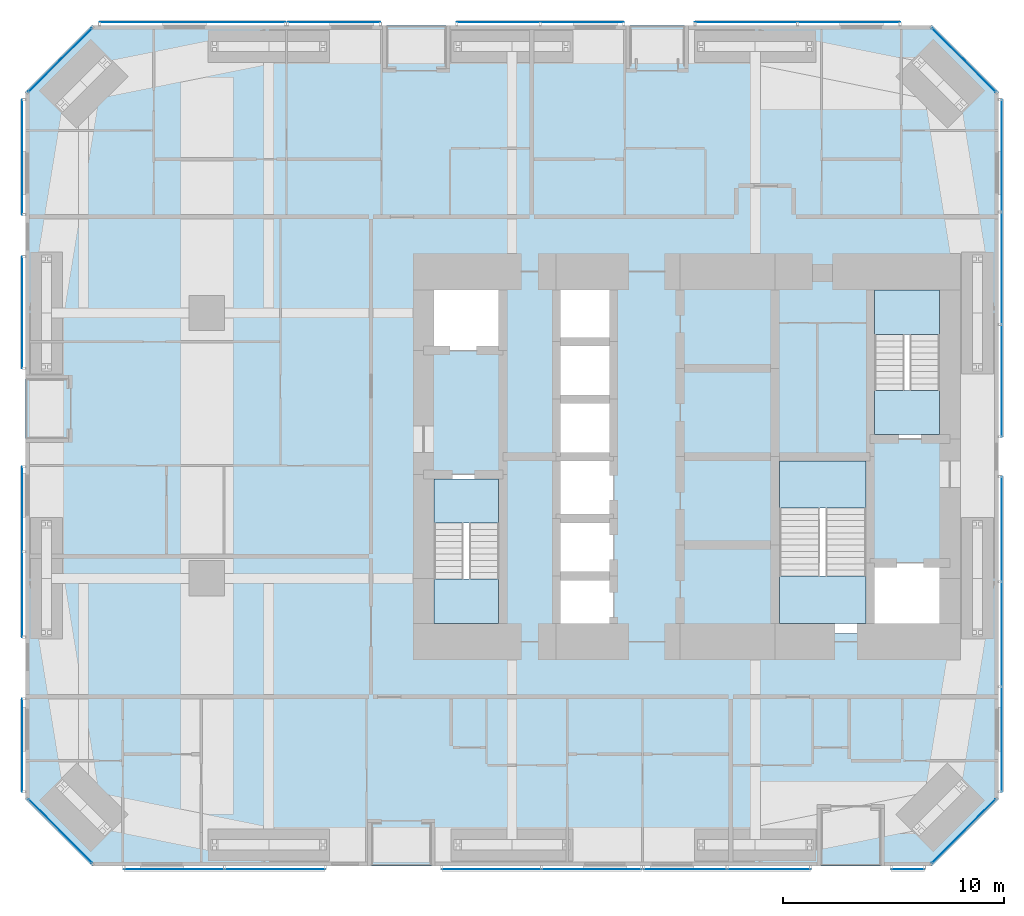
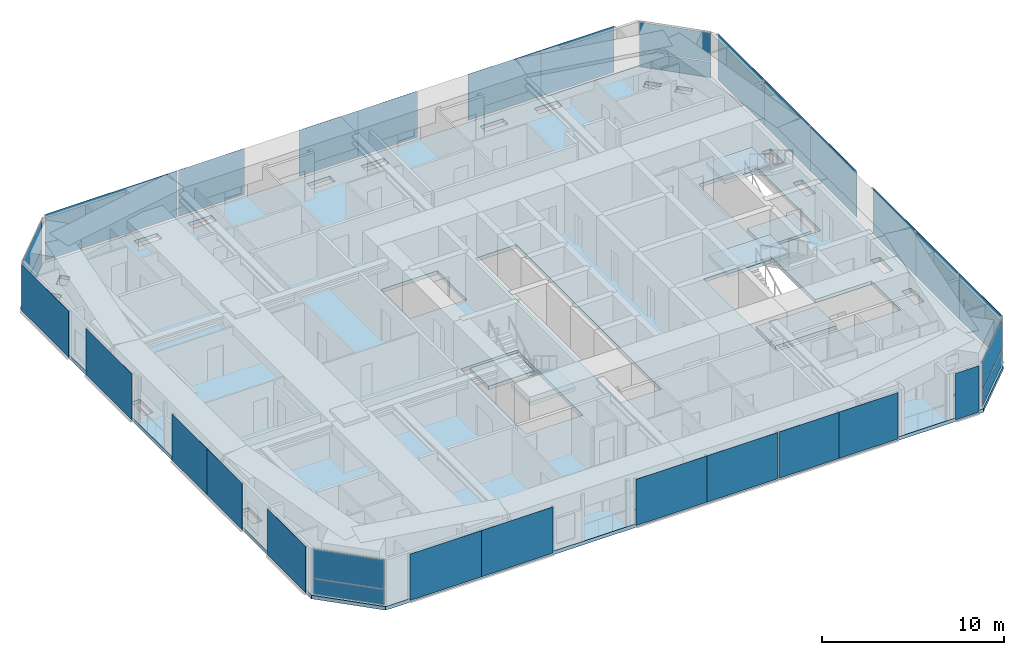
# One storey, part 14 of 22: 32 plates, 7 slabs, 21 elements without a shape of their own.
"""IFC4 building model written with IfcOpenShell, lengths in metres."""

from ifc_helpers import new_model, si_unit, direction, frame, origin, origin_2d, place, context, subcontext, project, spatial, polyline, rectangle, outline, extrude, material, layer, layer_set, type_object, element, aggregate, save


model = new_model("IFC4")

# Units and contexts
model_context = context("Model", 3, precision=1e-05, world=origin(), true_north=direction((0.0, 1.0)))
body_context = subcontext(model_context, "Body", "Model", "MODEL_VIEW")
ifc_project = project(units=[si_unit("LENGTHUNIT", "METRE"), si_unit("AREAUNIT", "SQUARE_METRE"), si_unit("VOLUMEUNIT", "CUBIC_METRE"), si_unit("PLANEANGLEUNIT", "RADIAN"), si_unit("MASSUNIT", "GRAM", prefix="KILO")], contexts=[model_context])

# Site, building, storey
site_placement = place(None, origin())
site = spatial("IfcSite", under=ifc_project, at=site_placement, CompositionType="ELEMENT")
building_placement = place(site_placement, origin())
building = spatial("IfcBuilding", under=site, at=building_placement, Name="Jalousie Tower", CompositionType="ELEMENT")
storey_placement = place(building_placement, frame((0.0, 0.0, 64.550048828125)))
storey = spatial("IfcBuildingStorey", under=building, at=storey_placement, Name="L17", CompositionType="ELEMENT", Elevation=64.550048828125)

# Curtain wall, plates
ifc_material_1 = material(Name="Aluminium curtain wall", Category="aluminium")
curtain_wall_type_1 = type_object("IfcCurtainWallType", Name="CORNER WINDOW WALL", PredefinedType="USERDEFINED", material=ifc_material_1)
curtain_wall_1_placement = place(storey_placement, origin())
curtain_wall_1 = element("IfcCurtainWall", 1, at=curtain_wall_1_placement, inside=storey, type_object=curtain_wall_type_1, Name="Corner Window Wall L17 2", ObjectType="CORNER WINDOW WALL", PredefinedType="USERDEFINED")
ifc_material_2 = material(Name="Laminated impact-rated spandrel glass", Category="glass")
ifc_layer_1 = layer(ifc_material_2, 0.028076171875)
ifc_layer_set_1 = layer_set([ifc_layer_1], Name="Laminated impact-rated spandrel glass")
plate_type_1 = type_object("IfcPlateType", Name="CORNER WINDOW WALL PANEL", PredefinedType="CURTAIN_PANEL", material=ifc_layer_set_1)
plate_1_placement = place(storey_placement, frame((44.4306640625, 1.5693359375, 0.06005859375), z_axis=(0.0, 0.0, 1.0), x_axis=(0.707106781187, 0.707106781187, 0.0)))
plate_1 = element("IfcPlate", 2, at=plate_1_placement, type_object=plate_type_1, Name="CW-C panel 1.1", PredefinedType="CURTAIN_PANEL", context=body_context, shape_type="SweptSolid", body=[
    extrude(rectangle(XDim=4.071533203125, YDim=0.028076171875, at=origin_2d()), origin(), (0.0, 0.0, 1.0), 1.010009765625),
])
plate_2_placement = place(storey_placement, frame((44.4306640625, 1.5693359375, 1.1298828125), z_axis=(0.0, 0.0, 1.0), x_axis=(0.707106781187, 0.707106781187, 0.0)))
plate_2 = element("IfcPlate", 3, at=plate_2_placement, type_object=plate_type_1, Name="CW-C panel 1.2", PredefinedType="CURTAIN_PANEL", context=body_context, shape_type="SweptSolid", body=[
    extrude(rectangle(XDim=4.071533203125, YDim=0.028076171875, at=origin_2d()), origin(), (0.0, 0.0, 1.0), 1.919921875),
])
aggregate(curtain_wall_1, [plate_1, plate_2])

curtain_wall_2_placement = place(storey_placement, origin())
curtain_wall_2 = element("IfcCurtainWall", 4, at=curtain_wall_2_placement, inside=storey, type_object=curtain_wall_type_1, Name="Corner Window Wall L17 4", ObjectType="CORNER WINDOW WALL", PredefinedType="USERDEFINED")
plate_3_placement = place(storey_placement, frame((44.4306640625, 36.4306640625, 0.06005859375), z_axis=(0.0, 0.0, 1.0), x_axis=(-0.707106781187, 0.707106781187, 0.0)))
plate_3 = element("IfcPlate", 5, at=plate_3_placement, type_object=plate_type_1, Name="CW-C panel 1.1", PredefinedType="CURTAIN_PANEL", context=body_context, shape_type="SweptSolid", body=[
    extrude(rectangle(XDim=4.071533203125, YDim=0.028076171875, at=origin_2d()), origin(), (0.0, 0.0, 1.0), 1.010009765625),
])
plate_4_placement = place(storey_placement, frame((44.4306640625, 36.4306640625, 1.1298828125), z_axis=(0.0, 0.0, 1.0), x_axis=(-0.707106781187, 0.707106781187, 0.0)))
plate_4 = element("IfcPlate", 6, at=plate_4_placement, type_object=plate_type_1, Name="CW-C panel 1.2", PredefinedType="CURTAIN_PANEL", context=body_context, shape_type="SweptSolid", body=[
    extrude(rectangle(XDim=4.071533203125, YDim=0.028076171875, at=origin_2d()), origin(), (0.0, 0.0, 1.0), 1.919921875),
])
aggregate(curtain_wall_2, [plate_3, plate_4])

curtain_wall_3_placement = place(storey_placement, origin())
curtain_wall_3 = element("IfcCurtainWall", 7, at=curtain_wall_3_placement, inside=storey, type_object=curtain_wall_type_1, Name="Corner Window Wall L17 6", ObjectType="CORNER WINDOW WALL", PredefinedType="USERDEFINED")
plate_5_placement = place(storey_placement, frame((3.5693359375, 36.4306640625, 0.06005859375), z_axis=(0.0, 0.0, 1.0), x_axis=(-0.707106781187, -0.707106781187, 0.0)))
plate_5 = element("IfcPlate", 8, at=plate_5_placement, type_object=plate_type_1, Name="CW-C panel 1.1", PredefinedType="CURTAIN_PANEL", context=body_context, shape_type="SweptSolid", body=[
    extrude(rectangle(XDim=4.071533203125, YDim=0.028076171875, at=origin_2d()), origin(), (0.0, 0.0, 1.0), 1.010009765625),
])
plate_6_placement = place(storey_placement, frame((3.5693359375, 36.4306640625, 1.1298828125), z_axis=(0.0, 0.0, 1.0), x_axis=(-0.707106781187, -0.707106781187, 0.0)))
plate_6 = element("IfcPlate", 9, at=plate_6_placement, type_object=plate_type_1, Name="CW-C panel 1.2", PredefinedType="CURTAIN_PANEL", context=body_context, shape_type="SweptSolid", body=[
    extrude(rectangle(XDim=4.071533203125, YDim=0.028076171875, at=origin_2d()), origin(), (0.0, 0.0, 1.0), 1.919921875),
])
aggregate(curtain_wall_3, [plate_5, plate_6])

curtain_wall_4_placement = place(storey_placement, origin())
curtain_wall_4 = element("IfcCurtainWall", 10, at=curtain_wall_4_placement, inside=storey, type_object=curtain_wall_type_1, Name="Corner Window Wall L17 8", ObjectType="CORNER WINDOW WALL", PredefinedType="USERDEFINED")
plate_7_placement = place(storey_placement, frame((3.5693359375, 1.5693359375, 0.06005859375), z_axis=(0.0, 0.0, 1.0), x_axis=(0.707106781187, -0.707106781187, 0.0)))
plate_7 = element("IfcPlate", 11, at=plate_7_placement, type_object=plate_type_1, Name="CW-C panel 1.1", PredefinedType="CURTAIN_PANEL", context=body_context, shape_type="SweptSolid", body=[
    extrude(rectangle(XDim=4.071533203125, YDim=0.028076171875, at=origin_2d()), origin(), (0.0, 0.0, 1.0), 1.010009765625),
])
plate_8_placement = place(storey_placement, frame((3.5693359375, 1.5693359375, 1.1298828125), z_axis=(0.0, 0.0, 1.0), x_axis=(0.707106781187, -0.707106781187, 0.0)))
plate_8 = element("IfcPlate", 12, at=plate_8_placement, type_object=plate_type_1, Name="CW-C panel 1.2", PredefinedType="CURTAIN_PANEL", context=body_context, shape_type="SweptSolid", body=[
    extrude(rectangle(XDim=4.071533203125, YDim=0.028076171875, at=origin_2d()), origin(), (0.0, 0.0, 1.0), 1.919921875),
])
aggregate(curtain_wall_4, [plate_7, plate_8])

# Slab
ifc_material_3 = material(Name="Concrete f'c 40 MPa", Category="concrete")
ifc_layer_2 = layer(ifc_material_3, 0.239990234375)
ifc_layer_set_2 = layer_set([ifc_layer_2], Name="Concrete f'c 40 MPa")
slab_type_1 = type_object("IfcSlabType", Name="FLOOR SLAB 240", PredefinedType="FLOOR", material=ifc_layer_set_2)
slab_1_placement = place(storey_placement, frame((0.0, 0.0, -0.239990234375)))
element("IfcSlab", 13, at=slab_1_placement, inside=storey, type_object=slab_type_1, Name="L17 floor slab", PredefinedType="FLOOR", context=body_context, shape_type="SweptSolid", body=[
    extrude(outline(polyline([(5.0, 0.0), (43.0, 0.0), (46.0, 3.0), (46.0, 35.0), (43.0, 38.0), (5.0, 38.0), (2.0, 35.0), (2.0, 3.0), (5.0, 0.0)]), holes=[polyline([(24.986083984375, 0.663818359375), (24.986083984375, 1.236083984375), (26.390380859375, 1.236083984375), (26.449951171875, 1.236083984375), (26.449951171875, 0.663818359375), (26.390380859375, 0.663818359375), (24.986083984375, 0.663818359375)]), polyline([(23.013916015625, 1.236083984375), (23.013916015625, 0.663818359375), (21.609619140625, 0.663818359375), (21.550048828125, 0.663818359375), (21.550048828125, 1.236083984375), (21.609619140625, 1.236083984375), (23.013916015625, 1.236083984375)]), polyline([(10.550048828125, 1.236083984375), (10.609619140625, 1.236083984375), (12.013916015625, 1.236083984375), (12.013916015625, 0.663818359375), (10.609619140625, 0.663818359375), (10.550048828125, 0.663818359375), (10.550048828125, 1.236083984375)]), polyline([(13.986083984375, 1.236083984375), (15.390380859375, 1.236083984375), (15.449951171875, 1.236083984375), (15.449951171875, 0.663818359375), (15.390380859375, 0.663818359375), (13.986083984375, 0.663818359375), (13.986083984375, 1.236083984375)]), polyline([(5.383544921875, 1.474365234375), (4.750244140625, 2.10791015625), (5.155029296875, 2.5126953125), (5.7021484375, 1.96533203125), (5.788330078125, 1.879150390625), (5.383544921875, 1.474365234375)]), polyline([(3.474365234375, 3.383544921875), (3.879150390625, 3.788330078125), (4.5126953125, 3.155029296875), (4.10791015625, 2.750244140625), (3.474365234375, 3.383544921875)]), polyline([(3.236083984375, 10.550048828125), (2.663818359375, 10.550048828125), (2.663818359375, 10.609619140625), (2.663818359375, 12.013916015625), (3.236083984375, 12.013916015625), (3.236083984375, 10.609619140625), (3.236083984375, 10.550048828125)]), polyline([(26.0, 10.5), (26.0, 26.5), (28.60009765625, 26.5), (28.60009765625, 10.5), (26.0, 10.5)]), polyline([(20.0, 10.5), (23.60009765625, 10.5), (23.60009765625, 17.699951171875), (20.0, 17.699951171875), (20.0, 10.5)]), polyline([(3.236083984375, 15.390380859375), (3.236083984375, 13.986083984375), (2.663818359375, 13.986083984375), (2.663818359375, 15.390380859375), (2.663818359375, 15.449951171875), (3.236083984375, 15.449951171875), (3.236083984375, 15.390380859375)]), polyline([(2.663818359375, 24.013916015625), (3.236083984375, 24.013916015625), (3.236083984375, 22.609619140625), (3.236083984375, 22.550048828125), (2.663818359375, 22.550048828125), (2.663818359375, 22.609619140625), (2.663818359375, 24.013916015625)]), polyline([(20.0, 23.300048828125), (23.60009765625, 23.300048828125), (23.60009765625, 26.5), (20.0, 26.5), (20.0, 23.300048828125)]), polyline([(3.236083984375, 25.986083984375), (2.663818359375, 25.986083984375), (2.663818359375, 27.390380859375), (2.663818359375, 27.449951171875), (3.236083984375, 27.449951171875), (3.236083984375, 27.390380859375), (3.236083984375, 25.986083984375)]), polyline([(3.560791015625, 34.70263671875), (4.10791015625, 35.249755859375), (4.5126953125, 34.844970703125), (3.96533203125, 34.2978515625), (3.879150390625, 34.211669921875), (3.474365234375, 34.616455078125), (3.560791015625, 34.70263671875)]), polyline([(5.788330078125, 36.120849609375), (5.155029296875, 35.4873046875), (4.750244140625, 35.89208984375), (5.383544921875, 36.525634765625), (5.5859375, 36.3232421875), (5.788330078125, 36.120849609375)]), polyline([(15.449951171875, 37.336181640625), (15.449951171875, 36.763916015625), (15.390380859375, 36.763916015625), (13.986083984375, 36.763916015625), (13.986083984375, 37.336181640625), (15.390380859375, 37.336181640625), (15.449951171875, 37.336181640625)]), polyline([(23.013916015625, 36.763916015625), (21.609619140625, 36.763916015625), (21.550048828125, 36.763916015625), (21.550048828125, 37.336181640625), (21.609619140625, 37.336181640625), (23.013916015625, 37.336181640625), (23.013916015625, 36.763916015625)]), polyline([(10.550048828125, 36.763916015625), (10.550048828125, 37.336181640625), (10.609619140625, 37.336181640625), (12.013916015625, 37.336181640625), (12.013916015625, 36.763916015625), (10.609619140625, 36.763916015625), (10.550048828125, 36.763916015625)]), polyline([(24.986083984375, 37.336181640625), (26.390380859375, 37.336181640625), (26.449951171875, 37.336181640625), (26.449951171875, 36.763916015625), (26.390380859375, 36.763916015625), (24.986083984375, 36.763916015625), (24.986083984375, 37.336181640625)]), polyline([(32.609619140625, 0.663818359375), (32.550048828125, 0.663818359375), (32.550048828125, 1.236083984375), (32.609619140625, 1.236083984375), (34.013916015625, 1.236083984375), (34.013916015625, 0.663818359375), (32.609619140625, 0.663818359375)]), polyline([(37.390380859375, 1.236083984375), (37.449951171875, 1.236083984375), (37.449951171875, 0.663818359375), (37.390380859375, 0.663818359375), (35.986083984375, 0.663818359375), (35.986083984375, 1.236083984375), (37.390380859375, 1.236083984375)]), polyline([(42.70263671875, 1.560791015625), (42.616455078125, 1.474365234375), (42.4140625, 1.6767578125), (42.211669921875, 1.879150390625), (42.211669921875, 1.879150390625), (42.211669921875, 1.879150390625), (42.2978515625, 1.96533203125), (42.844970703125, 2.5126953125), (43.249755859375, 2.10791015625), (42.70263671875, 1.560791015625), (42.70263671875, 1.560791015625)]), polyline([(44.120849609375, 3.788330078125), (44.3232421875, 3.5859375), (44.525634765625, 3.383544921875), (44.525634765625, 3.383544921875), (44.525634765625, 3.383544921875), (43.89208984375, 2.750244140625), (43.4873046875, 3.155029296875), (44.120849609375, 3.788330078125)]), polyline([(45.336181640625, 10.550048828125), (44.763916015625, 10.550048828125), (44.763916015625, 10.609619140625), (44.763916015625, 12.013916015625), (45.336181640625, 12.013916015625), (45.336181640625, 10.609619140625), (45.336181640625, 10.550048828125)]), polyline([(35.89990234375, 10.5), (35.89990234375, 18.5), (40.199951171875, 18.5), (40.199951171875, 13.699951171875), (43.800048828125, 13.699951171875), (43.800048828125, 10.5), (35.89990234375, 10.5)]), polyline([(45.336181640625, 13.986083984375), (44.763916015625, 13.986083984375), (44.763916015625, 15.390380859375), (44.763916015625, 15.449951171875), (45.336181640625, 15.449951171875), (45.336181640625, 15.390380859375), (45.336181640625, 13.986083984375)]), polyline([(40.199951171875, 19.300048828125), (43.800048828125, 19.300048828125), (43.800048828125, 26.5), (40.199951171875, 26.5), (40.199951171875, 19.300048828125)]), polyline([(45.336181640625, 22.550048828125), (44.763916015625, 22.550048828125), (44.763916015625, 22.609619140625), (44.763916015625, 24.013916015625), (45.336181640625, 24.013916015625), (45.336181640625, 22.609619140625), (45.336181640625, 22.550048828125)]), polyline([(45.336181640625, 27.390380859375), (45.336181640625, 25.986083984375), (44.763916015625, 25.986083984375), (44.763916015625, 27.390380859375), (44.763916015625, 27.449951171875), (45.336181640625, 27.449951171875), (45.336181640625, 27.390380859375)]), polyline([(43.89208984375, 35.249755859375), (44.439208984375, 34.70263671875), (44.525634765625, 34.616455078125), (44.120849609375, 34.211669921875), (43.4873046875, 34.844970703125), (43.89208984375, 35.249755859375)]), polyline([(42.844970703125, 35.4873046875), (42.211669921875, 36.120849609375), (42.616455078125, 36.525634765625), (42.70263671875, 36.439208984375), (43.249755859375, 35.89208984375), (42.844970703125, 35.4873046875)]), polyline([(37.390380859375, 37.336181640625), (37.449951171875, 37.336181640625), (37.449951171875, 36.763916015625), (37.390380859375, 36.763916015625), (35.986083984375, 36.763916015625), (35.986083984375, 37.336181640625), (37.390380859375, 37.336181640625)]), polyline([(34.013916015625, 37.336181640625), (34.013916015625, 36.763916015625), (32.609619140625, 36.763916015625), (32.550048828125, 36.763916015625), (32.550048828125, 37.336181640625), (32.609619140625, 37.336181640625), (34.013916015625, 37.336181640625)])]), origin(), (0.0, 0.0, 1.0), 0.239990234375),
])

# Curtain wall, plates
ifc_material_4 = material(Name="Perforated aluminium sheet", Category="aluminium")
curtain_wall_type_2 = type_object("IfcCurtainWallType", Name="SOLAR SCREEN SS-1", PredefinedType="USERDEFINED", material=ifc_material_4)
curtain_wall_5_placement = place(storey_placement, origin())
curtain_wall_5 = element("IfcCurtainWall", 14, at=curtain_wall_5_placement, inside=storey, type_object=curtain_wall_type_2, Name="Solar screen L17", ObjectType="SOLAR SCREEN SS-1", PredefinedType="USERDEFINED")
ifc_material_5 = material(Name="Perforated aluminium sheet", Category="aluminium")
ifc_layer_3 = layer(ifc_material_5, 0.006103515625)
ifc_layer_set_3 = layer_set([ifc_layer_3], Name="Perforated aluminium sheet")
plate_type_2 = type_object("IfcPlateType", Name="SOLAR SCREEN SS-1 PANEL", PredefinedType="CURTAIN_PANEL", material=ifc_layer_set_3)
plate_9_placement = place(storey_placement, frame((8.72509765625, -0.150390625, 0.0), z_axis=(0.0, 0.0, 1.0), x_axis=(1.0, 0.0, 0.0)))
plate_9 = element("IfcPlate", 15, at=plate_9_placement, type_object=plate_type_2, Name="SS1 perforated panel 1", PredefinedType="CURTAIN_PANEL", context=body_context, shape_type="SweptSolid", body=[
    extrude(rectangle(XDim=4.550048828125, YDim=0.006103515625, at=origin_2d()), origin(), (0.0, 0.0, 1.0), 3.110107421875),
])
plate_10_placement = place(storey_placement, frame((13.27490234375, -0.150390625, 0.0), z_axis=(0.0, 0.0, 1.0), x_axis=(1.0, 0.0, 0.0)))
plate_10 = element("IfcPlate", 16, at=plate_10_placement, type_object=plate_type_2, Name="SS1 perforated panel 2", PredefinedType="CURTAIN_PANEL", context=body_context, shape_type="SweptSolid", body=[
    extrude(rectangle(XDim=4.550048828125, YDim=0.006103515625, at=origin_2d()), origin(), (0.0, 0.0, 1.0), 3.110107421875),
])
aggregate(curtain_wall_5, [plate_9, plate_10])

curtain_wall_6_placement = place(storey_placement, origin())
curtain_wall_6 = element("IfcCurtainWall", 17, at=curtain_wall_6_placement, inside=storey, type_object=curtain_wall_type_2, Name="Solar screen L17", ObjectType="SOLAR SCREEN SS-1", PredefinedType="USERDEFINED")
plate_11_placement = place(storey_placement, frame((23.081298828125, -0.150390625, 0.0), z_axis=(0.0, 0.0, 1.0), x_axis=(1.0, 0.0, 0.0)))
plate_11 = element("IfcPlate", 18, at=plate_11_placement, type_object=plate_type_2, Name="SS1 perforated panel 1", PredefinedType="CURTAIN_PANEL", context=body_context, shape_type="SweptSolid", body=[
    extrude(rectangle(XDim=4.512451171875, YDim=0.006103515625, at=origin_2d()), origin(), (0.0, 0.0, 1.0), 3.110107421875),
])
plate_12_placement = place(storey_placement, frame((27.59375, -0.150390625, 0.0), z_axis=(0.0, 0.0, 1.0), x_axis=(1.0, 0.0, 0.0)))
plate_12 = element("IfcPlate", 19, at=plate_12_placement, type_object=plate_type_2, Name="SS1 perforated panel 2", PredefinedType="CURTAIN_PANEL", context=body_context, shape_type="SweptSolid", body=[
    extrude(rectangle(XDim=4.512451171875, YDim=0.006103515625, at=origin_2d()), origin(), (0.0, 0.0, 1.0), 3.110107421875),
])
aggregate(curtain_wall_6, [plate_11, plate_12])

curtain_wall_7_placement = place(storey_placement, origin())
curtain_wall_7 = element("IfcCurtainWall", 20, at=curtain_wall_7_placement, inside=storey, type_object=curtain_wall_type_2, Name="Solar screen L17", ObjectType="SOLAR SCREEN SS-1", PredefinedType="USERDEFINED")
plate_13_placement = place(storey_placement, frame((31.83740234375, -0.150390625, 0.0), z_axis=(0.0, 0.0, 1.0), x_axis=(1.0, 0.0, 0.0)))
plate_13 = element("IfcPlate", 21, at=plate_13_placement, type_object=plate_type_2, Name="SS1 perforated panel 1", PredefinedType="CURTAIN_PANEL", context=body_context, shape_type="SweptSolid", body=[
    extrude(rectangle(XDim=3.77490234375, YDim=0.006103515625, at=origin_2d()), origin(), (0.0, 0.0, 1.0), 3.110107421875),
])
plate_14_placement = place(storey_placement, frame((35.612548828125, -0.150390625, 0.0), z_axis=(0.0, 0.0, 1.0), x_axis=(1.0, 0.0, 0.0)))
plate_14 = element("IfcPlate", 22, at=plate_14_placement, type_object=plate_type_2, Name="SS1 perforated panel 2", PredefinedType="CURTAIN_PANEL", context=body_context, shape_type="SweptSolid", body=[
    extrude(rectangle(XDim=3.77490234375, YDim=0.006103515625, at=origin_2d()), origin(), (0.0, 0.0, 1.0), 3.110107421875),
])
aggregate(curtain_wall_7, [plate_13, plate_14])

# Curtain wall, plate
curtain_wall_8_placement = place(storey_placement, origin())
curtain_wall_8 = element("IfcCurtainWall", 23, at=curtain_wall_8_placement, inside=storey, type_object=curtain_wall_type_2, Name="Solar screen L17", ObjectType="SOLAR SCREEN SS-1", PredefinedType="USERDEFINED")
plate_15_placement = place(storey_placement, frame((41.8994140625, -0.150390625, 0.0), z_axis=(0.0, 0.0, 1.0), x_axis=(1.0, 0.0, 0.0)))
plate_15 = element("IfcPlate", 24, at=plate_15_placement, type_object=plate_type_2, Name="SS1 perforated panel 1", PredefinedType="CURTAIN_PANEL", context=body_context, shape_type="SweptSolid", body=[
    extrude(rectangle(XDim=1.498779296875, YDim=0.006103515625, at=origin_2d()), origin(), (0.0, 0.0, 1.0), 3.110107421875),
])
aggregate(curtain_wall_8, [plate_15])

# Curtain wall, plates
curtain_wall_9_placement = place(storey_placement, origin())
curtain_wall_9 = element("IfcCurtainWall", 25, at=curtain_wall_9_placement, inside=storey, type_object=curtain_wall_type_2, Name="Solar screen L17", ObjectType="SOLAR SCREEN SS-1", PredefinedType="USERDEFINED")
plate_16_placement = place(storey_placement, frame((46.150390625, 5.72607421875, 0.0), z_axis=(0.0, 0.0, 1.0), x_axis=(0.0, 1.0, 0.0)))
plate_16 = element("IfcPlate", 26, at=plate_16_placement, type_object=plate_type_2, Name="SS1 perforated panel 1", PredefinedType="CURTAIN_PANEL", context=body_context, shape_type="SweptSolid", body=[
    extrude(rectangle(XDim=4.74951171875, YDim=0.006103515625, at=origin_2d()), origin(), (0.0, 0.0, 1.0), 3.110107421875),
])
plate_17_placement = place(storey_placement, frame((46.150390625, 10.4755859375, 0.0), z_axis=(0.0, 0.0, 1.0), x_axis=(0.0, 1.0, 0.0)))
plate_17 = element("IfcPlate", 27, at=plate_17_placement, type_object=plate_type_2, Name="SS1 perforated panel 2", PredefinedType="CURTAIN_PANEL", context=body_context, shape_type="SweptSolid", body=[
    extrude(rectangle(XDim=4.74951171875, YDim=0.006103515625, at=origin_2d()), origin(), (0.0, 0.0, 1.0), 3.110107421875),
])
plate_18_placement = place(storey_placement, frame((46.150390625, 15.22509765625, 0.0), z_axis=(0.0, 0.0, 1.0), x_axis=(0.0, 1.0, 0.0)))
plate_18 = element("IfcPlate", 28, at=plate_18_placement, type_object=plate_type_2, Name="SS1 perforated panel 3", PredefinedType="CURTAIN_PANEL", context=body_context, shape_type="SweptSolid", body=[
    extrude(rectangle(XDim=4.74951171875, YDim=0.006103515625, at=origin_2d()), origin(), (0.0, 0.0, 1.0), 3.110107421875),
])
aggregate(curtain_wall_9, [plate_16, plate_17, plate_18])

curtain_wall_10_placement = place(storey_placement, origin())
curtain_wall_10 = element("IfcCurtainWall", 29, at=curtain_wall_10_placement, inside=storey, type_object=curtain_wall_type_2, Name="Solar screen L17", ObjectType="SOLAR SCREEN SS-1", PredefinedType="USERDEFINED")
plate_19_placement = place(storey_placement, frame((46.150390625, 21.94140625, 0.0), z_axis=(0.0, 0.0, 1.0), x_axis=(0.0, 1.0, 0.0)))
plate_19 = element("IfcPlate", 30, at=plate_19_placement, type_object=plate_type_2, Name="SS1 perforated panel 1", PredefinedType="CURTAIN_PANEL", context=body_context, shape_type="SweptSolid", body=[
    extrude(rectangle(XDim=5.0830078125, YDim=0.006103515625, at=origin_2d()), origin(), (0.0, 0.0, 1.0), 3.110107421875),
])
plate_20_placement = place(storey_placement, frame((46.150390625, 27.0244140625, 0.0), z_axis=(0.0, 0.0, 1.0), x_axis=(0.0, 1.0, 0.0)))
plate_20 = element("IfcPlate", 31, at=plate_20_placement, type_object=plate_type_2, Name="SS1 perforated panel 2", PredefinedType="CURTAIN_PANEL", context=body_context, shape_type="SweptSolid", body=[
    extrude(rectangle(XDim=5.0830078125, YDim=0.006103515625, at=origin_2d()), origin(), (0.0, 0.0, 1.0), 3.110107421875),
])
plate_21_placement = place(storey_placement, frame((46.150390625, 32.107177734375, 0.0), z_axis=(0.0, 0.0, 1.0), x_axis=(0.0, 1.0, 0.0)))
plate_21 = element("IfcPlate", 32, at=plate_21_placement, type_object=plate_type_2, Name="SS1 perforated panel 3", PredefinedType="CURTAIN_PANEL", context=body_context, shape_type="SweptSolid", body=[
    extrude(rectangle(XDim=5.0830078125, YDim=0.006103515625, at=origin_2d()), origin(), (0.0, 0.0, 1.0), 3.110107421875),
])
aggregate(curtain_wall_10, [plate_19, plate_20, plate_21])

curtain_wall_11_placement = place(storey_placement, origin())
curtain_wall_11 = element("IfcCurtainWall", 33, at=curtain_wall_11_placement, inside=storey, type_object=curtain_wall_type_2, Name="Solar screen L17", ObjectType="SOLAR SCREEN SS-1", PredefinedType="USERDEFINED")
plate_22_placement = place(storey_placement, frame((39.231201171875, 38.150390625, 0.0), z_axis=(0.0, 0.0, 1.0), x_axis=(-1.0, 0.0, 0.0)))
plate_22 = element("IfcPlate", 34, at=plate_22_placement, type_object=plate_type_2, Name="SS1 perforated panel 1", PredefinedType="CURTAIN_PANEL", context=body_context, shape_type="SweptSolid", body=[
    extrude(rectangle(XDim=4.637451171875, YDim=0.006103515625, at=origin_2d()), origin(), (0.0, 0.0, 1.0), 3.110107421875),
])
plate_23_placement = place(storey_placement, frame((34.59375, 38.150390625, 0.0), z_axis=(0.0, 0.0, 1.0), x_axis=(-1.0, 0.0, 0.0)))
plate_23 = element("IfcPlate", 35, at=plate_23_placement, type_object=plate_type_2, Name="SS1 perforated panel 2", PredefinedType="CURTAIN_PANEL", context=body_context, shape_type="SweptSolid", body=[
    extrude(rectangle(XDim=4.637451171875, YDim=0.006103515625, at=origin_2d()), origin(), (0.0, 0.0, 1.0), 3.110107421875),
])
aggregate(curtain_wall_11, [plate_22, plate_23])

curtain_wall_12_placement = place(storey_placement, origin())
curtain_wall_12 = element("IfcCurtainWall", 36, at=curtain_wall_12_placement, inside=storey, type_object=curtain_wall_type_2, Name="Solar screen L17", ObjectType="SOLAR SCREEN SS-1", PredefinedType="USERDEFINED")
plate_24_placement = place(storey_placement, frame((27.16259765625, 38.150390625, 0.0), z_axis=(0.0, 0.0, 1.0), x_axis=(-1.0, 0.0, 0.0)))
plate_24 = element("IfcPlate", 37, at=plate_24_placement, type_object=plate_type_2, Name="SS1 perforated panel 1", PredefinedType="CURTAIN_PANEL", context=body_context, shape_type="SweptSolid", body=[
    extrude(rectangle(XDim=3.77490234375, YDim=0.006103515625, at=origin_2d()), origin(), (0.0, 0.0, 1.0), 3.110107421875),
])
plate_25_placement = place(storey_placement, frame((23.387451171875, 38.150390625, 0.0), z_axis=(0.0, 0.0, 1.0), x_axis=(-1.0, 0.0, 0.0)))
plate_25 = element("IfcPlate", 38, at=plate_25_placement, type_object=plate_type_2, Name="SS1 perforated panel 2", PredefinedType="CURTAIN_PANEL", context=body_context, shape_type="SweptSolid", body=[
    extrude(rectangle(XDim=3.77490234375, YDim=0.006103515625, at=origin_2d()), origin(), (0.0, 0.0, 1.0), 3.110107421875),
])
aggregate(curtain_wall_12, [plate_24, plate_25])

# Curtain wall, plate
curtain_wall_13_placement = place(storey_placement, origin())
curtain_wall_13 = element("IfcCurtainWall", 39, at=curtain_wall_13_placement, inside=storey, type_object=curtain_wall_type_2, Name="Solar screen L17", ObjectType="SOLAR SCREEN SS-1", PredefinedType="USERDEFINED")
plate_26_placement = place(storey_placement, frame((15.949951171875, 38.150390625, 0.0), z_axis=(0.0, 0.0, 1.0), x_axis=(-1.0, 0.0, 0.0)))
plate_26 = element("IfcPlate", 40, at=plate_26_placement, type_object=plate_type_2, Name="SS1 perforated panel 1", PredefinedType="CURTAIN_PANEL", context=body_context, shape_type="SweptSolid", body=[
    extrude(rectangle(XDim=4.199951171875, YDim=0.006103515625, at=origin_2d()), origin(), (0.0, 0.0, 1.0), 3.110107421875),
])
aggregate(curtain_wall_13, [plate_26])

curtain_wall_14_placement = place(storey_placement, origin())
curtain_wall_14 = element("IfcCurtainWall", 41, at=curtain_wall_14_placement, inside=storey, type_object=curtain_wall_type_2, Name="Solar screen L17", ObjectType="SOLAR SCREEN SS-1", PredefinedType="USERDEFINED")
plate_27_placement = place(storey_placement, frame((9.55078125, 38.150390625, 0.0), z_axis=(0.0, 0.0, 1.0), x_axis=(-1.0, 0.0, 0.0)))
plate_27 = element("IfcPlate", 42, at=plate_27_placement, type_object=plate_type_2, Name="SS1 perforated panel 1", PredefinedType="CURTAIN_PANEL", context=body_context, shape_type="SweptSolid", body=[
    extrude(rectangle(XDim=8.398681640625, YDim=0.006103515625, at=origin_2d()), origin(), (0.0, 0.0, 1.0), 3.110107421875),
])
aggregate(curtain_wall_14, [plate_27])

curtain_wall_15_placement = place(storey_placement, origin())
curtain_wall_15 = element("IfcCurtainWall", 43, at=curtain_wall_15_placement, inside=storey, type_object=curtain_wall_type_2, Name="Solar screen L17", ObjectType="SOLAR SCREEN SS-1", PredefinedType="USERDEFINED")
plate_28_placement = place(storey_placement, frame((1.849609375, 32.04931640625, 0.0), z_axis=(0.0, 0.0, 1.0), x_axis=(0.0, -1.0, 0.0)))
plate_28 = element("IfcPlate", 44, at=plate_28_placement, type_object=plate_type_2, Name="SS1 perforated panel 1", PredefinedType="CURTAIN_PANEL", context=body_context, shape_type="SweptSolid", body=[
    extrude(rectangle(XDim=5.19873046875, YDim=0.006103515625, at=origin_2d()), origin(), (0.0, 0.0, 1.0), 3.110107421875),
])
aggregate(curtain_wall_15, [plate_28])

curtain_wall_16_placement = place(storey_placement, origin())
curtain_wall_16 = element("IfcCurtainWall", 45, at=curtain_wall_16_placement, inside=storey, type_object=curtain_wall_type_2, Name="Solar screen L17", ObjectType="SOLAR SCREEN SS-1", PredefinedType="USERDEFINED")
plate_29_placement = place(storey_placement, frame((1.849609375, 25.02490234375, 0.0), z_axis=(0.0, 0.0, 1.0), x_axis=(0.0, -1.0, 0.0)))
plate_29 = element("IfcPlate", 46, at=plate_29_placement, type_object=plate_type_2, Name="SS1 perforated panel 1", PredefinedType="CURTAIN_PANEL", context=body_context, shape_type="SweptSolid", body=[
    extrude(rectangle(XDim=5.050048828125, YDim=0.006103515625, at=origin_2d()), origin(), (0.0, 0.0, 1.0), 3.110107421875),
])
aggregate(curtain_wall_16, [plate_29])

# Curtain wall, plates
curtain_wall_17_placement = place(storey_placement, origin())
curtain_wall_17 = element("IfcCurtainWall", 47, at=curtain_wall_17_placement, inside=storey, type_object=curtain_wall_type_2, Name="Solar screen L17", ObjectType="SOLAR SCREEN SS-1", PredefinedType="USERDEFINED")
plate_30_placement = place(storey_placement, frame((1.849609375, 16.123291015625, 0.0), z_axis=(0.0, 0.0, 1.0), x_axis=(0.0, -1.0, 0.0)))
plate_30 = element("IfcPlate", 48, at=plate_30_placement, type_object=plate_type_2, Name="SS1 perforated panel 1", PredefinedType="CURTAIN_PANEL", context=body_context, shape_type="SweptSolid", body=[
    extrude(rectangle(XDim=3.853271484375, YDim=0.006103515625, at=origin_2d()), origin(), (0.0, 0.0, 1.0), 3.110107421875),
])
plate_31_placement = place(storey_placement, frame((1.849609375, 12.270263671875, 0.0), z_axis=(0.0, 0.0, 1.0), x_axis=(0.0, -1.0, 0.0)))
plate_31 = element("IfcPlate", 49, at=plate_31_placement, type_object=plate_type_2, Name="SS1 perforated panel 2", PredefinedType="CURTAIN_PANEL", context=body_context, shape_type="SweptSolid", body=[
    extrude(rectangle(XDim=3.853271484375, YDim=0.006103515625, at=origin_2d()), origin(), (0.0, 0.0, 1.0), 3.110107421875),
])
aggregate(curtain_wall_17, [plate_30, plate_31])

# Curtain wall, plate
curtain_wall_18_placement = place(storey_placement, origin())
curtain_wall_18 = element("IfcCurtainWall", 50, at=curtain_wall_18_placement, inside=storey, type_object=curtain_wall_type_2, Name="Solar screen L17", ObjectType="SOLAR SCREEN SS-1", PredefinedType="USERDEFINED")
plate_32_placement = place(storey_placement, frame((1.849609375, 5.45068359375, 0.0), z_axis=(0.0, 0.0, 1.0), x_axis=(0.0, -1.0, 0.0)))
plate_32 = element("IfcPlate", 51, at=plate_32_placement, type_object=plate_type_2, Name="SS1 perforated panel 1", PredefinedType="CURTAIN_PANEL", context=body_context, shape_type="SweptSolid", body=[
    extrude(rectangle(XDim=4.19873046875, YDim=0.006103515625, at=origin_2d()), origin(), (0.0, 0.0, 1.0), 3.110107421875),
])
aggregate(curtain_wall_18, [plate_32])

# Stair, slabs
ifc_material_6 = material(Name="Concrete f'c 40 MPa", Category="concrete")
stair_type = type_object("IfcStairType", Name="EXIT STAIR", PredefinedType="HALF_TURN_STAIR", material=ifc_material_6)
stair_1_placement = place(storey_placement, origin())
stair_1 = element("IfcStair", 52, at=stair_1_placement, inside=storey, type_object=stair_type, Name="Exit stair A L17", PredefinedType="HALF_TURN_STAIR")
ifc_material_7 = material(Name="Concrete f'c 40 MPa", Category="concrete")
ifc_layer_4 = layer(ifc_material_7, 0.25)
ifc_layer_set_4 = layer_set([ifc_layer_4], Name="Concrete f'c 40 MPa")
slab_type_2 = type_object("IfcSlabType", Name="STAIR LANDING 250", PredefinedType="LANDING", material=ifc_layer_set_4)
slab_2_placement = place(storey_placement, frame((0.0, 0.0, -0.25)))
slab_2 = element("IfcSlab", 53, at=slab_2_placement, type_object=slab_type_2, Name="ST-A landing 1", PredefinedType="LANDING", context=body_context, shape_type="SweptSolid", body=[
    extrude(outline(polyline([(20.47509765625, 15.49755859375), (23.39990234375, 15.49755859375), (23.39990234375, 17.5), (20.47509765625, 17.5), (20.47509765625, 15.49755859375)])), origin(), (0.0, 0.0, 1.0), 0.25),
])
slab_3_placement = place(storey_placement, frame((0.0, 0.0, 1.425048828125)))
slab_3 = element("IfcSlab", 54, at=slab_3_placement, type_object=slab_type_2, Name="ST-A landing 2", PredefinedType="LANDING", context=body_context, shape_type="SweptSolid", body=[
    extrude(outline(polyline([(20.47509765625, 10.949951171875), (23.39990234375, 10.949951171875), (23.39990234375, 12.9775390625), (20.47509765625, 12.9775390625), (20.47509765625, 10.949951171875)])), origin(), (0.0, 0.0, 1.0), 0.25),
])
aggregate(stair_1, [slab_2, slab_3])

stair_2_placement = place(storey_placement, origin())
stair_2 = element("IfcStair", 55, at=stair_2_placement, inside=storey, type_object=stair_type, Name="Exit stair B L17", PredefinedType="HALF_TURN_STAIR")
slab_4_placement = place(storey_placement, frame((0.0, 0.0, -0.25)))
slab_4 = element("IfcSlab", 56, at=slab_4_placement, type_object=slab_type_2, Name="ST-B landing 1", PredefinedType="LANDING", context=body_context, shape_type="SweptSolid", body=[
    extrude(outline(polyline([(40.39990234375, 19.5), (43.324951171875, 19.5), (43.324951171875, 21.50244140625), (40.39990234375, 21.50244140625), (40.39990234375, 19.5)])), origin(), (0.0, 0.0, 1.0), 0.25),
])
slab_5_placement = place(storey_placement, frame((0.0, 0.0, 1.425048828125)))
slab_5 = element("IfcSlab", 57, at=slab_5_placement, type_object=slab_type_2, Name="ST-B landing 2", PredefinedType="LANDING", context=body_context, shape_type="SweptSolid", body=[
    extrude(outline(polyline([(40.39990234375, 24.0224609375), (43.324951171875, 24.0224609375), (43.324951171875, 26.050048828125), (40.39990234375, 26.050048828125), (40.39990234375, 24.0224609375)])), origin(), (0.0, 0.0, 1.0), 0.25),
])
aggregate(stair_2, [slab_4, slab_5])

stair_3_placement = place(storey_placement, origin())
stair_3 = element("IfcStair", 58, at=stair_3_placement, inside=storey, type_object=stair_type, Name="Exit stair C L17", PredefinedType="HALF_TURN_STAIR")
slab_6_placement = place(storey_placement, frame((0.0, 0.0, -0.25)))
slab_6 = element("IfcSlab", 59, at=slab_6_placement, type_object=slab_type_2, Name="ST-C landing 1", PredefinedType="LANDING", context=body_context, shape_type="SweptSolid", body=[
    extrude(outline(polyline([(36.10009765625, 10.949951171875), (40.0, 10.949951171875), (40.0, 13.097412109375), (36.10009765625, 13.097412109375), (36.10009765625, 10.949951171875)])), origin(), (0.0, 0.0, 1.0), 0.25),
])
slab_7_placement = place(storey_placement, frame((0.0, 0.0, 1.425048828125)))
slab_7 = element("IfcSlab", 60, at=slab_7_placement, type_object=slab_type_2, Name="ST-C landing 2", PredefinedType="LANDING", context=body_context, shape_type="SweptSolid", body=[
    extrude(outline(polyline([(36.10009765625, 16.177490234375), (40.0, 16.177490234375), (40.0, 18.300048828125), (36.10009765625, 18.300048828125), (36.10009765625, 16.177490234375)])), origin(), (0.0, 0.0, 1.0), 0.25),
])
aggregate(stair_3, [slab_6, slab_7])

save(model, "model.ifc")
